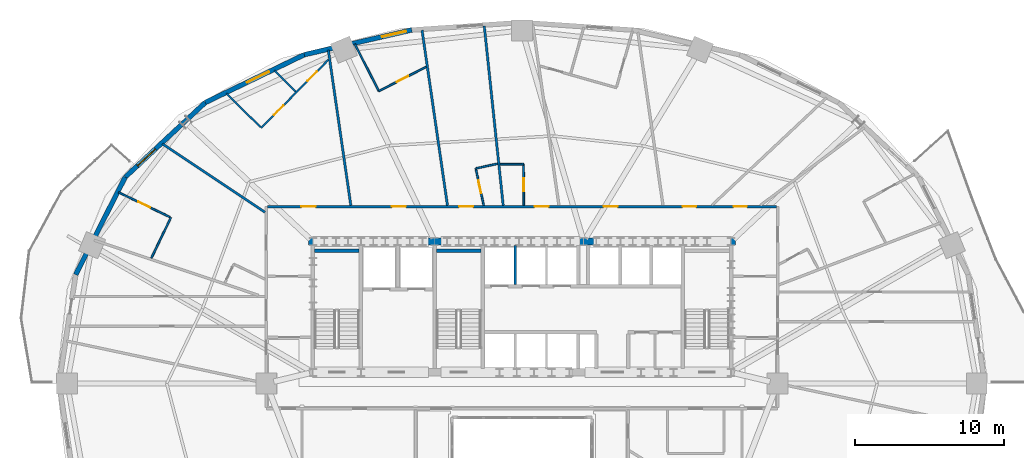
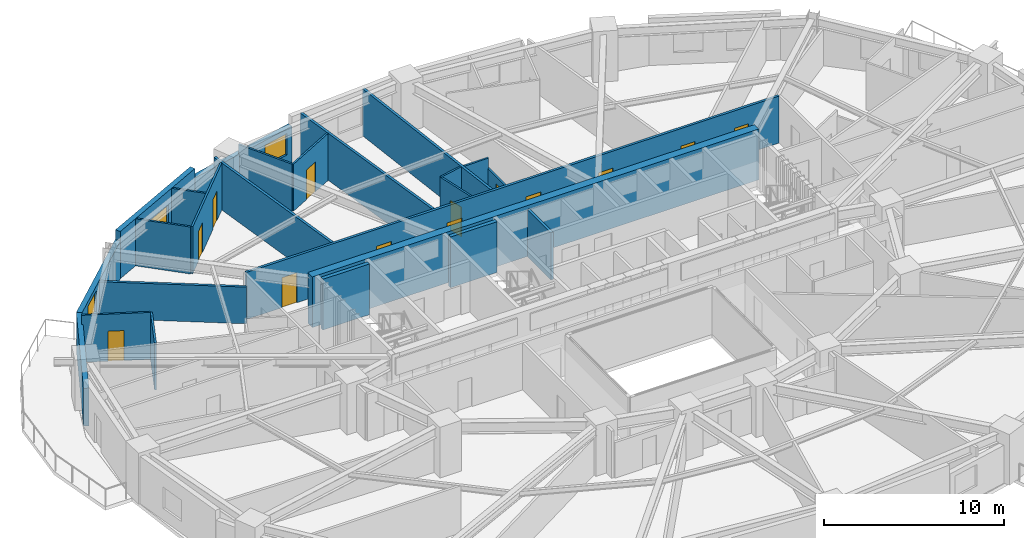
# One storey, part 12 of 17: 24 walls, 13 doors, 3 windows, 16 openings.
"""IFC4 building model written with IfcOpenShell, lengths in metres."""

from ifc_helpers import new_model, si_unit, direction, frame, frame_2d, origin, place, context, subcontext, project, spatial, rectangle, extrude, material, layer, layer_set, type_object, element, fill, save


model = new_model("IFC4")

# Units and contexts
model_context = context("Model", 3, precision=1e-05, world=origin(), true_north=direction((0.0, 1.0)))
body_context = subcontext(model_context, "Body", "Model", "MODEL_VIEW")
ifc_project = project(units=[si_unit("LENGTHUNIT", "METRE"), si_unit("AREAUNIT", "SQUARE_METRE"), si_unit("VOLUMEUNIT", "CUBIC_METRE"), si_unit("PLANEANGLEUNIT", "RADIAN"), si_unit("MASSUNIT", "GRAM", prefix="KILO")], contexts=[model_context])

# Site, building, storey
site_placement = place(None, origin())
site = spatial("IfcSite", under=ifc_project, at=site_placement, CompositionType="ELEMENT")
building_placement = place(site_placement, origin())
building = spatial("IfcBuilding", under=site, at=building_placement, Name="Haldorwick Loom Tower", CompositionType="ELEMENT")
storey_placement = place(building_placement, frame((0.0, 0.0, 27.449951171875)))
storey = spatial("IfcBuildingStorey", under=building, at=storey_placement, Name="L06", CompositionType="ELEMENT", Elevation=27.449951171875)

# Wall, opening, window
ifc_material_1 = material(Name="Pressed Clay Face Brick and Insulated Masonry Backup Assembly", Category="masonry")
ifc_layer_1 = layer(ifc_material_1, 0.320068359375, Name="Pressed Clay Face Brick and Insulated Masonry Backup Assembly", Category="masonry")
ifc_layer_set_1 = layer_set([ifc_layer_1], Name="Pressed Clay Face Brick and Insulated Masonry Backup Assembly")
wall_type_1 = type_object("IfcWallType", Name="ARC-WL-EXT320", PredefinedType="STANDARD", material=ifc_layer_set_1)
wall_1_placement = place(storey_placement, frame((28.588623046875, 49.780517578125, 0.0), z_axis=(0.0, 0.0, 1.0), x_axis=(-0.974522412345, -0.224290142088, 0.0)))
wall_1 = element("IfcWall", 1, at=wall_1_placement, inside=storey, type_object=wall_type_1, Name="L06 Brick Pier and Spandrel Wall 8", PredefinedType="STANDARD", context=body_context, shape_type="SweptSolid", body=[
    extrude(rectangle(XDim=7.422607421875, YDim=0.320068359375, at=frame_2d((3.71142578125, 0.0))), origin(), (0.0, 0.0, 1.0), 2.569091796875),
])
opening_1_placement = place(wall_1_placement, frame((0.39990234375, 0.0, 0.800048828125)))
opening_1 = element("IfcOpeningElement", 2, at=opening_1_placement, cuts=wall_1, Name="Opening W-01B", PredefinedType="OPENING", context=body_context, shape_type="SweptSolid", body=[
    extrude(rectangle(XDim=1.64990234375, YDim=1.449951171875, at=frame_2d((0.824951171875, 0.72509765625))), frame((0.0, 0.169921875, 0.0), z_axis=(0.0, -1.0, 0.0), x_axis=(1.0, 0.0, 0.0)), (0.0, 0.0, 1.0), 0.340087890625),
])
ifc_material_2 = material(Name="Triple-Glazed Low-E Argon Insulated Glazing Unit", Category="glass")
window_type = type_object("IfcWindowType", Name="ARC-WIN-W165", PartitioningType="SINGLE_PANEL", PredefinedType="WINDOW", material=ifc_material_2)
window_1_placement = place(opening_1_placement, origin())
window_1 = element("IfcWindow", 3, at=window_1_placement, inside=storey, type_object=window_type, Name="L06 Deep-Set Zone 7A Window 8", OverallHeight=1.449951171875, OverallWidth=1.64990234375, PartitioningType="SINGLE_PANEL", PredefinedType="WINDOW", context=body_context, shape_type="SweptSolid", body=[
    extrude(rectangle(XDim=1.64990234375, YDim=1.449951171875, at=frame_2d((0.824951171875, 0.72509765625))), frame((0.0, 0.030029296875, 0.0), z_axis=(0.0, -1.0, 0.0), x_axis=(1.0, 0.0, 0.0)), (0.0, 0.0, 1.0), 0.06005859375),
])
fill(opening_1, window_1)

wall_2_placement = place(storey_placement, frame((21.355224609375, 48.11572265625, 0.0), z_axis=(0.0, 0.0, 1.0), x_axis=(-0.900295710431, -0.435278800057, 0.0)))
wall_2 = element("IfcWall", 4, at=wall_2_placement, inside=storey, type_object=wall_type_1, Name="L06 Brick Pier and Spandrel Wall 9", PredefinedType="STANDARD", context=body_context, shape_type="SweptSolid", body=[
    extrude(rectangle(XDim=7.39697265625, YDim=0.320068359375, at=frame_2d((3.698486328125, 0.0))), origin(), (0.0, 0.0, 1.0), 3.2099609375),
])
opening_2_placement = place(wall_2_placement, frame((2.632080078125, 0.0, 0.800048828125)))
opening_2 = element("IfcOpeningElement", 5, at=opening_2_placement, cuts=wall_2, Name="Opening W-01B", PredefinedType="OPENING", context=body_context, shape_type="SweptSolid", body=[
    extrude(rectangle(XDim=1.64990234375, YDim=1.449951171875, at=frame_2d((0.824951171875, 0.72509765625))), frame((0.0, 0.169921875, 0.0), z_axis=(0.0, -1.0, 0.0), x_axis=(1.0, 0.0, 0.0)), (0.0, 0.0, 1.0), 0.340087890625),
])
window_2_placement = place(opening_2_placement, origin())
window_2 = element("IfcWindow", 6, at=window_2_placement, inside=storey, type_object=window_type, Name="L06 Deep-Set Zone 7A Window 9", OverallHeight=1.449951171875, OverallWidth=1.64990234375, PartitioningType="SINGLE_PANEL", PredefinedType="WINDOW", context=body_context, shape_type="SweptSolid", body=[
    extrude(rectangle(XDim=1.64990234375, YDim=1.449951171875, at=frame_2d((0.824951171875, 0.72509765625))), frame((0.0, 0.030029296875, 0.0), z_axis=(0.0, -1.0, 0.0), x_axis=(1.0, 0.0, 0.0)), (0.0, 0.0, 1.0), 0.06005859375),
])
fill(opening_2, window_2)

wall_3_placement = place(storey_placement, frame((14.69580078125, 44.89599609375, 0.0), z_axis=(0.0, 0.0, 1.0), x_axis=(-0.73176101237, -0.681561311091, 0.0)))
wall_3 = element("IfcWall", 7, at=wall_3_placement, inside=storey, type_object=wall_type_1, Name="L06 Brick Pier and Spandrel Wall 10", PredefinedType="STANDARD", context=body_context, shape_type="SweptSolid", body=[
    extrude(rectangle(XDim=7.3583984375, YDim=0.320068359375, at=frame_2d((3.67919921875, 0.0))), origin(), (0.0, 0.0, 1.0), 2.569091796875),
])
opening_3_placement = place(wall_3_placement, frame((4.590087890625, 0.0, 0.800048828125)))
opening_3 = element("IfcOpeningElement", 8, at=opening_3_placement, cuts=wall_3, Name="Opening W-01B", PredefinedType="OPENING", context=body_context, shape_type="SweptSolid", body=[
    extrude(rectangle(XDim=1.64990234375, YDim=1.449951171875, at=frame_2d((0.824951171875, 0.72509765625))), frame((0.0, 0.169921875, 0.0), z_axis=(0.0, -1.0, 0.0), x_axis=(1.0, 0.0, 0.0)), (0.0, 0.0, 1.0), 0.340087890625),
])
window_3_placement = place(opening_3_placement, origin())
window_3 = element("IfcWindow", 9, at=window_3_placement, inside=storey, type_object=window_type, Name="L06 Deep-Set Zone 7A Window 10", OverallHeight=1.449951171875, OverallWidth=1.64990234375, PartitioningType="SINGLE_PANEL", PredefinedType="WINDOW", context=body_context, shape_type="SweptSolid", body=[
    extrude(rectangle(XDim=1.64990234375, YDim=1.449951171875, at=frame_2d((0.824951171875, 0.72509765625))), frame((0.0, 0.030029296875, 0.0), z_axis=(0.0, -1.0, 0.0), x_axis=(1.0, 0.0, 0.0)), (0.0, 0.0, 1.0), 0.06005859375),
])
fill(opening_3, window_3)

# Wall
wall_4_placement = place(storey_placement, frame((9.311279296875, 39.880859375, 0.0), z_axis=(0.0, 0.0, 1.0), x_axis=(-0.452950855928, -0.891535485617, 0.0)))
element("IfcWall", 10, at=wall_4_placement, inside=storey, type_object=wall_type_1, Name="L06 Brick Pier and Spandrel Wall 11", PredefinedType="STANDARD", context=body_context, shape_type="SweptSolid", body=[
    extrude(rectangle(XDim=7.3583984375, YDim=0.320068359375, at=frame_2d((3.67919921875, 0.0))), origin(), (0.0, 0.0, 1.0), 2.569091796875),
])

# Wall, openings, doors
ifc_material_3 = material(Name="Fire-Rated Type X Gypsum Stud Assembly EI 60")
ifc_layer_2 = layer(ifc_material_3, 0.159912109375, Name="Fire-Rated Type X Gypsum Stud Assembly EI 60")
ifc_layer_set_2 = layer_set([ifc_layer_2], Name="Fire-Rated Type X Gypsum Stud Assembly EI 60")
wall_type_2 = type_object("IfcWallType", Name="ARC-WL-FIRE160", PredefinedType="PARTITIONING", material=ifc_layer_set_2)
wall_5_placement = place(storey_placement, frame((18.883056640625, 37.89990234375, 0.0), z_axis=(0.0, 0.0, 1.0), x_axis=(1.0, 0.0, 0.0)))
wall_5 = element("IfcWall", 11, at=wall_5_placement, inside=storey, type_object=wall_type_2, Name="L06 Residential Fire Partition L06-CR-N0", PredefinedType="PARTITIONING", context=body_context, shape_type="SweptSolid", body=[
    extrude(rectangle(XDim=34.23388671875, YDim=0.159912109375, at=frame_2d((17.116943359375, 0.0))), origin(), (0.0, 0.0, 1.0), 3.195068359375),
])
opening_4_placement = place(wall_5_placement, frame((22.605224609375, 0.0, 0.0)))
opening_4 = element("IfcOpeningElement", 12, at=opening_4_placement, cuts=wall_5, Name="Opening D-FL95", PredefinedType="OPENING", context=body_context, shape_type="SweptSolid", body=[
    extrude(rectangle(XDim=0.949951171875, YDim=2.0400390625, at=frame_2d((0.47509765625, 1.02001953125))), frame((0.0, 0.08984375, 0.0), z_axis=(0.0, -1.0, 0.0), x_axis=(1.0, 0.0, 0.0)), (0.0, 0.0, 1.0), 0.179931640625),
])
opening_5_placement = place(wall_5_placement, frame((8.359619140625, 0.0, 0.0)))
opening_5 = element("IfcOpeningElement", 13, at=opening_5_placement, cuts=wall_5, Name="Opening D-FL95", PredefinedType="OPENING", context=body_context, shape_type="SweptSolid", body=[
    extrude(rectangle(XDim=0.949951171875, YDim=2.0400390625, at=frame_2d((0.47509765625, 1.02001953125))), frame((0.0, 0.08984375, 0.0), z_axis=(0.0, -1.0, 0.0), x_axis=(1.0, 0.0, 0.0)), (0.0, 0.0, 1.0), 0.179931640625),
])
opening_6_placement = place(wall_5_placement, frame((2.285888671875, 0.0, 0.0)))
opening_6 = element("IfcOpeningElement", 14, at=opening_6_placement, cuts=wall_5, Name="Opening D-FL95", PredefinedType="OPENING", context=body_context, shape_type="SweptSolid", body=[
    extrude(rectangle(XDim=0.949951171875, YDim=2.0400390625, at=frame_2d((0.47509765625, 1.02001953125))), frame((0.0, 0.08984375, 0.0), z_axis=(0.0, -1.0, 0.0), x_axis=(1.0, 0.0, 0.0)), (0.0, 0.0, 1.0), 0.179931640625),
])
opening_7_placement = place(wall_5_placement, frame((27.93115234375, 0.0, 0.0)))
opening_7 = element("IfcOpeningElement", 15, at=opening_7_placement, cuts=wall_5, Name="Opening D-FD60A", PredefinedType="OPENING", context=body_context, shape_type="SweptSolid", body=[
    extrude(rectangle(XDim=0.89990234375, YDim=2.0, at=frame_2d((0.449951171875, 1.0))), frame((0.0, 0.08984375, 0.0), z_axis=(0.0, -1.0, 0.0), x_axis=(1.0, 0.0, 0.0)), (0.0, 0.0, 1.0), 0.179931640625),
])
opening_8_placement = place(wall_5_placement, frame((31.3544921875, 0.0, 0.0)))
opening_8 = element("IfcOpeningElement", 16, at=opening_8_placement, cuts=wall_5, Name="Opening D-FD60A", PredefinedType="OPENING", context=body_context, shape_type="SweptSolid", body=[
    extrude(rectangle(XDim=0.89990234375, YDim=2.0, at=frame_2d((0.449951171875, 1.0))), frame((0.0, 0.08984375, 0.0), z_axis=(0.0, -1.0, 0.0), x_axis=(1.0, 0.0, 0.0)), (0.0, 0.0, 1.0), 0.179931640625),
])
opening_9_placement = place(wall_5_placement, frame((17.96728515625, 0.0, 0.0)))
opening_9 = element("IfcOpeningElement", 17, at=opening_9_placement, cuts=wall_5, Name="Opening D-FL95", PredefinedType="OPENING", context=body_context, shape_type="SweptSolid", body=[
    extrude(rectangle(XDim=0.949951171875, YDim=2.0400390625, at=frame_2d((0.47509765625, 1.02001953125))), frame((0.0, 0.08984375, 0.0), z_axis=(0.0, -1.0, 0.0), x_axis=(1.0, 0.0, 0.0)), (0.0, 0.0, 1.0), 0.179931640625),
])
opening_10_placement = place(wall_5_placement, frame((12.88720703125, 0.0, 0.0)))
opening_10 = element("IfcOpeningElement", 18, at=opening_10_placement, cuts=wall_5, Name="Opening D-FL95", PredefinedType="OPENING", context=body_context, shape_type="SweptSolid", body=[
    extrude(rectangle(XDim=0.949951171875, YDim=2.0400390625, at=frame_2d((0.47509765625, 1.02001953125))), frame((0.0, 0.08984375, 0.0), z_axis=(0.0, -1.0, 0.0), x_axis=(1.0, 0.0, 0.0)), (0.0, 0.0, 1.0), 0.179931640625),
])
ifc_material_4 = material(Name="Hollow Steel Fire Door Assembly", Category="steel")
door_type_1 = type_object("IfcDoorType", Name="ARC-DR-FD60-90", OperationType="NOTDEFINED", PredefinedType="DOOR", material=ifc_material_4)
door_1_placement = place(opening_7_placement, frame((0.89990234375, 0.0, 0.0), z_axis=(0.0, 0.0, 1.0), x_axis=(-1.0, 0.0, 0.0)))
door_1 = element("IfcDoor", 19, at=door_1_placement, inside=storey, type_object=door_type_1, Name="L06 Community Library Hall 12 to L06 North Residential Corridor Door", OperationType="SINGLE_SWING_LEFT", OverallHeight=2.0, OverallWidth=0.89990234375, PredefinedType="DOOR", context=body_context, shape_type="SweptSolid", body=[
    extrude(rectangle(XDim=0.89990234375, YDim=2.0, at=frame_2d((0.449951171875, 1.0))), frame((0.0, 0.02490234375, 0.0), z_axis=(0.0, -1.0, 0.0), x_axis=(1.0, 0.0, 0.0)), (0.0, 0.0, 1.0), 0.050048828125),
])
fill(opening_7, door_1)
door_2_placement = place(opening_8_placement, frame((0.89990234375, 0.0, 0.0), z_axis=(0.0, 0.0, 1.0), x_axis=(-1.0, 0.0, 0.0)))
door_2 = element("IfcDoor", 20, at=door_2_placement, inside=storey, type_object=door_type_1, Name="L06 Remote Work Office 20 to L06 North Residential Corridor Door", OperationType="SINGLE_SWING_LEFT", OverallHeight=2.0, OverallWidth=0.89990234375, PredefinedType="DOOR", context=body_context, shape_type="SweptSolid", body=[
    extrude(rectangle(XDim=0.89990234375, YDim=2.0, at=frame_2d((0.449951171875, 1.0))), frame((0.0, 0.02490234375, 0.0), z_axis=(0.0, -1.0, 0.0), x_axis=(1.0, 0.0, 0.0)), (0.0, 0.0, 1.0), 0.050048828125),
])
fill(opening_8, door_2)
ifc_material_5 = material(Name="Solid Core Birch Architectural Door")
door_type_2 = type_object("IfcDoorType", Name="ARC-DR-FLAT95", OperationType="NOTDEFINED", PredefinedType="DOOR", material=ifc_material_5)
door_3_placement = place(opening_4_placement, frame((0.949951171875, 0.0, 0.0), z_axis=(0.0, 0.0, 1.0), x_axis=(-1.0, 0.0, 0.0)))
door_3 = element("IfcDoor", 21, at=door_3_placement, inside=storey, type_object=door_type_2, Name="L06 Unit 06F Kitchen and Living Room to L06 North Residential Corridor D", OperationType="SINGLE_SWING_LEFT", OverallHeight=2.0400390625, OverallWidth=0.949951171875, PredefinedType="DOOR", context=body_context, shape_type="SweptSolid", body=[
    extrude(rectangle(XDim=0.949951171875, YDim=2.0400390625, at=frame_2d((0.47509765625, 1.02001953125))), frame((0.0, 0.02490234375, 0.0), z_axis=(0.0, -1.0, 0.0), x_axis=(1.0, 0.0, 0.0)), (0.0, 0.0, 1.0), 0.050048828125),
])
fill(opening_4, door_3)
door_4_placement = place(opening_5_placement, frame((0.949951171875, 0.0, 0.0), z_axis=(0.0, 0.0, 1.0), x_axis=(-1.0, 0.0, 0.0)))
door_4 = element("IfcDoor", 22, at=door_4_placement, inside=storey, type_object=door_type_2, Name="L06 Unit 06E Kitchen and Studio Living Room to L06 North Residential Cor", OperationType="SINGLE_SWING_RIGHT", OverallHeight=2.0400390625, OverallWidth=0.949951171875, PredefinedType="DOOR", context=body_context, shape_type="SweptSolid", body=[
    extrude(rectangle(XDim=0.949951171875, YDim=2.0400390625, at=frame_2d((0.47509765625, 1.02001953125))), frame((0.0, 0.02490234375, 0.0), z_axis=(0.0, -1.0, 0.0), x_axis=(1.0, 0.0, 0.0)), (0.0, 0.0, 1.0), 0.050048828125),
])
fill(opening_5, door_4)
door_5_placement = place(opening_6_placement, frame((0.949951171875, 0.0, 0.0), z_axis=(0.0, 0.0, 1.0), x_axis=(-1.0, 0.0, 0.0)))
door_5 = element("IfcDoor", 23, at=door_5_placement, inside=storey, type_object=door_type_2, Name="L06 Unit 06J Kitchen and Living Room to L06 North Residential Corridor D", OperationType="SINGLE_SWING_LEFT", OverallHeight=2.0400390625, OverallWidth=0.949951171875, PredefinedType="DOOR", context=body_context, shape_type="SweptSolid", body=[
    extrude(rectangle(XDim=0.949951171875, YDim=2.0400390625, at=frame_2d((0.47509765625, 1.02001953125))), frame((0.0, 0.02490234375, 0.0), z_axis=(0.0, -1.0, 0.0), x_axis=(1.0, 0.0, 0.0)), (0.0, 0.0, 1.0), 0.050048828125),
])
fill(opening_6, door_5)
door_6_placement = place(opening_9_placement, frame((0.949951171875, 0.0, 0.0), z_axis=(0.0, 0.0, 1.0), x_axis=(-1.0, 0.0, 0.0)))
door_6 = element("IfcDoor", 24, at=door_6_placement, inside=storey, type_object=door_type_2, Name="L06 Unit 06G Kitchen and Studio Living Room to L06 North Residential Cor", OperationType="SINGLE_SWING_LEFT", OverallHeight=2.0400390625, OverallWidth=0.949951171875, PredefinedType="DOOR", context=body_context, shape_type="SweptSolid", body=[
    extrude(rectangle(XDim=0.949951171875, YDim=2.0400390625, at=frame_2d((0.47509765625, 1.02001953125))), frame((0.0, 0.02490234375, 0.0), z_axis=(0.0, -1.0, 0.0), x_axis=(1.0, 0.0, 0.0)), (0.0, 0.0, 1.0), 0.050048828125),
])
fill(opening_9, door_6)
door_7_placement = place(opening_10_placement, frame((0.949951171875, 0.0, 0.0), z_axis=(0.0, 0.0, 1.0), x_axis=(-1.0, 0.0, 0.0)))
door_7 = element("IfcDoor", 25, at=door_7_placement, inside=storey, type_object=door_type_2, Name="L06 Unit 06H Kitchen and Studio Living Room to L06 North Residential Cor", OperationType="SINGLE_SWING_RIGHT", OverallHeight=2.0400390625, OverallWidth=0.949951171875, PredefinedType="DOOR", context=body_context, shape_type="SweptSolid", body=[
    extrude(rectangle(XDim=0.949951171875, YDim=2.0400390625, at=frame_2d((0.47509765625, 1.02001953125))), frame((0.0, 0.02490234375, 0.0), z_axis=(0.0, -1.0, 0.0), x_axis=(1.0, 0.0, 0.0)), (0.0, 0.0, 1.0), 0.050048828125),
])
fill(opening_10, door_7)

# Walls
wall_6_placement = place(storey_placement, frame((24.488037109375, 37.98291015625, 0.0), z_axis=(0.0, 0.0, 1.0), x_axis=(-0.143527306887, 0.989646357129, 0.0)))
element("IfcWall", 26, at=wall_6_placement, inside=storey, type_object=wall_type_2, Name="L06 Residential Fire Partition L06-UPN-15", PredefinedType="PARTITIONING", context=body_context, shape_type="SweptSolid", body=[
    extrude(rectangle(XDim=10.5478515625, YDim=0.159912109375, at=frame_2d((5.27392578125, 0.0))), origin(), (0.0, 0.0, 1.0), 3.195068359375),
])
wall_7_placement = place(storey_placement, frame((30.988037109375, 37.98291015625, 0.0), z_axis=(0.0, 0.0, 1.0), x_axis=(-0.14353446512, 0.989645318952, 0.0)))
element("IfcWall", 27, at=wall_7_placement, inside=storey, type_object=wall_type_2, Name="L06 Residential Fire Partition L06-UPN-16", PredefinedType="PARTITIONING", context=body_context, shape_type="SweptSolid", body=[
    extrude(rectangle(XDim=11.903076171875, YDim=0.159912109375, at=frame_2d((5.95166015625, 0.0))), origin(), (0.0, 0.0, 1.0), 3.195068359375),
])
wall_8_placement = place(storey_placement, frame((34.736572265625, 37.98291015625, 0.0), z_axis=(0.0, 0.0, 1.0), x_axis=(-0.104862826622, 0.994486695533, 0.0)))
element("IfcWall", 28, at=wall_8_placement, inside=storey, type_object=wall_type_2, Name="L06 Suite Split Wall", PredefinedType="PARTITIONING", context=body_context, shape_type="SweptSolid", body=[
    extrude(rectangle(XDim=12.134521484375, YDim=0.159912109375, at=frame_2d((6.0673828125, 0.0))), origin(), (0.0, 0.0, 1.0), 3.195068359375),
])
wall_9_placement = place(storey_placement, frame((18.717041015625, 37.51806640625, 0.0), z_axis=(0.0, 0.0, 1.0), x_axis=(-0.832154371396, 0.554544048897, 0.0)))
element("IfcWall", 29, at=wall_9_placement, inside=storey, type_object=wall_type_2, Name="L06 Suite Split Wall", PredefinedType="PARTITIONING", context=body_context, shape_type="SweptSolid", body=[
    extrude(rectangle(XDim=8.29931640625, YDim=0.159912109375, at=frame_2d((4.149658203125, 0.0))), origin(), (0.0, 0.0, 1.0), 2.489990234375),
])

# Wall, opening, door
ifc_material_6 = material(Name="Acoustic Gypsum Stud Assembly STC 55")
ifc_layer_3 = layer(ifc_material_6, 0.1201171875, Name="Acoustic Gypsum Stud Assembly STC 55")
ifc_layer_set_3 = layer_set([ifc_layer_3], Name="Acoustic Gypsum Stud Assembly STC 55")
wall_type_3 = type_object("IfcWallType", Name="ARC-WL-PART120", PredefinedType="PARTITIONING", material=ifc_layer_set_3)
wall_10_placement = place(storey_placement, frame((29.553466796875, 47.295654296875, 0.0), z_axis=(0.0, 0.0, 1.0), x_axis=(-0.88971564895, -0.456515130104, 0.0)))
wall_10 = element("IfcWall", 30, at=wall_10_placement, inside=storey, type_object=wall_type_3, Name="L06 Unit 06E Interior Partition", PredefinedType="PARTITIONING", context=body_context, shape_type="SweptSolid", body=[
    extrude(rectangle(XDim=3.57080078125, YDim=0.1201171875, at=frame_2d((1.785400390625, 0.0))), origin(), (0.0, 0.0, 1.0), 3.195068359375),
])
opening_11_placement = place(wall_10_placement, frame((1.345458984375, 0.0, 0.0)))
opening_11 = element("IfcOpeningElement", 31, at=opening_11_placement, cuts=wall_10, Name="Opening D-BT88", PredefinedType="OPENING", context=body_context, shape_type="SweptSolid", body=[
    extrude(rectangle(XDim=0.8798828125, YDim=2.02001953125, at=frame_2d((0.43994140625, 1.010009765625))), frame((0.0, 0.070068359375, 0.0), z_axis=(0.0, -1.0, 0.0), x_axis=(1.0, 0.0, 0.0)), (0.0, 0.0, 1.0), 0.14013671875),
])
door_type_3 = type_object("IfcDoorType", Name="ARC-DR-BATH88", OperationType="NOTDEFINED", PredefinedType="DOOR", material=ifc_material_5)
door_8_placement = place(opening_11_placement, origin())
door_8 = element("IfcDoor", 32, at=door_8_placement, inside=storey, type_object=door_type_3, Name="L06 Unit 06E Kitchen and Studio Living Room to Unit 06E Bathroom Door", OperationType="SINGLE_SWING_RIGHT", OverallHeight=2.02001953125, OverallWidth=0.8798828125, PredefinedType="DOOR", context=body_context, shape_type="SweptSolid", body=[
    extrude(rectangle(XDim=0.8798828125, YDim=2.02001953125, at=frame_2d((0.43994140625, 1.010009765625))), frame((0.0, 0.02490234375, 0.0), z_axis=(0.0, -1.0, 0.0), x_axis=(1.0, 0.0, 0.0)), (0.0, 0.0, 1.0), 0.050048828125),
])
fill(opening_11, door_8)

# Walls
wall_11_placement = place(storey_placement, frame((26.37646484375, 45.66552734375, 0.0), z_axis=(0.0, 0.0, 1.0), x_axis=(-0.456549293145, 0.889698118987, 0.0)))
element("IfcWall", 33, at=wall_11_placement, inside=storey, type_object=wall_type_3, Name="L06 Unit 06E Interior Partition", PredefinedType="PARTITIONING", context=body_context, shape_type="SweptSolid", body=[
    extrude(rectangle(XDim=3.5576171875, YDim=0.1201171875, at=frame_2d((1.77880859375, 0.0))), origin(), (0.0, 0.0, 1.0), 3.195068359375),
])
wall_12_placement = place(storey_placement, frame((36.107421875, 40.754150390625, 0.0), z_axis=(0.0, 0.0, 1.0), x_axis=(-0.999975783696, -0.006959311826, 0.0)))
element("IfcWall", 34, at=wall_12_placement, inside=storey, type_object=wall_type_3, Name="L06 Unit 06G Interior Partition", PredefinedType="PARTITIONING", context=body_context, shape_type="SweptSolid", body=[
    extrude(rectangle(XDim=1.57861328125, YDim=0.1201171875, at=frame_2d((0.789306640625, 0.0))), origin(), (0.0, 0.0, 1.0), 3.195068359375),
])

# Wall, opening, door
wall_13_placement = place(storey_placement, frame((36.126708984375, 37.98291015625, 0.0), z_axis=(0.0, 0.0, 1.0), x_axis=(-0.006959570678, 0.999975781895, 0.0)))
wall_13 = element("IfcWall", 35, at=wall_13_placement, inside=storey, type_object=wall_type_3, Name="L06 Unit 06G Interior Partition", PredefinedType="PARTITIONING", context=body_context, shape_type="SweptSolid", body=[
    extrude(rectangle(XDim=2.771240234375, YDim=0.1201171875, at=frame_2d((1.3857421875, 0.0))), origin(), (0.0, 0.0, 1.0), 2.489990234375),
])
opening_12_placement = place(wall_13_placement, frame((0.945556640625, 0.0, 0.0)))
opening_12 = element("IfcOpeningElement", 36, at=opening_12_placement, cuts=wall_13, Name="Opening D-BT88", PredefinedType="OPENING", context=body_context, shape_type="SweptSolid", body=[
    extrude(rectangle(XDim=0.8798828125, YDim=2.02001953125, at=frame_2d((0.43994140625, 1.010009765625))), frame((0.0, 0.070068359375, 0.0), z_axis=(0.0, -1.0, 0.0), x_axis=(1.0, 0.0, 0.0)), (0.0, 0.0, 1.0), 0.14013671875),
])
door_9_placement = place(opening_12_placement, origin())
door_9 = element("IfcDoor", 37, at=door_9_placement, inside=storey, type_object=door_type_3, Name="L06 Unit 06G Bathroom to Unit 06G Kitchen and Studio Living Room Door", OperationType="SINGLE_SWING_LEFT", OverallHeight=2.02001953125, OverallWidth=0.8798828125, PredefinedType="DOOR", context=body_context, shape_type="SweptSolid", body=[
    extrude(rectangle(XDim=0.8798828125, YDim=2.02001953125, at=frame_2d((0.43994140625, 1.010009765625))), frame((0.0, 0.02490234375, 0.0), z_axis=(0.0, -1.0, 0.0), x_axis=(1.0, 0.0, 0.0)), (0.0, 0.0, 1.0), 0.050048828125),
])
fill(opening_12, door_9)

# Wall
wall_14_placement = place(storey_placement, frame((34.3583984375, 40.778564453125, 0.0), z_axis=(0.0, 0.0, 1.0), x_axis=(-0.977558557938, -0.210663869236, 0.0)))
element("IfcWall", 38, at=wall_14_placement, inside=storey, type_object=wall_type_3, Name="L06 Unit 06H Interior Partition", PredefinedType="PARTITIONING", context=body_context, shape_type="SweptSolid", body=[
    extrude(rectangle(XDim=1.49853515625, YDim=0.1201171875, at=frame_2d((0.749267578125, 0.0))), origin(), (0.0, 0.0, 1.0), 3.195068359375),
])

# Wall, opening, door
wall_15_placement = place(storey_placement, frame((33.427978515625, 37.98291015625, 0.0), z_axis=(0.0, 0.0, 1.0), x_axis=(-0.210659362969, 0.977559529028, 0.0)))
wall_15 = element("IfcWall", 39, at=wall_15_placement, inside=storey, type_object=wall_type_3, Name="L06 Unit 06H Interior Partition", PredefinedType="PARTITIONING", context=body_context, shape_type="SweptSolid", body=[
    extrude(rectangle(XDim=2.536865234375, YDim=0.1201171875, at=frame_2d((1.2685546875, 0.0))), origin(), (0.0, 0.0, 1.0), 3.195068359375),
])
opening_13_placement = place(wall_15_placement, frame((0.828369140625, 0.0, 0.0)))
opening_13 = element("IfcOpeningElement", 40, at=opening_13_placement, cuts=wall_15, Name="Opening D-BT88", PredefinedType="OPENING", context=body_context, shape_type="SweptSolid", body=[
    extrude(rectangle(XDim=0.8798828125, YDim=2.02001953125, at=frame_2d((0.43994140625, 1.010009765625))), frame((0.0, 0.070068359375, 0.0), z_axis=(0.0, -1.0, 0.0), x_axis=(1.0, 0.0, 0.0)), (0.0, 0.0, 1.0), 0.14013671875),
])
door_10_placement = place(opening_13_placement, origin())
door_10 = element("IfcDoor", 41, at=door_10_placement, inside=storey, type_object=door_type_3, Name="L06 Unit 06H Kitchen and Studio Living Room to Unit 06H Bathroom Door", OperationType="SINGLE_SWING_RIGHT", OverallHeight=2.02001953125, OverallWidth=0.8798828125, PredefinedType="DOOR", context=body_context, shape_type="SweptSolid", body=[
    extrude(rectangle(XDim=0.8798828125, YDim=2.02001953125, at=frame_2d((0.43994140625, 1.010009765625))), frame((0.0, 0.02490234375, 0.0), z_axis=(0.0, -1.0, 0.0), x_axis=(1.0, 0.0, 0.0)), (0.0, 0.0, 1.0), 0.050048828125),
])
fill(opening_13, door_10)

# Wall
wall_16_placement = place(storey_placement, frame((12.3837890625, 37.161376953125, 0.0), z_axis=(0.0, 0.0, 1.0), x_axis=(-0.434237284081, -0.900798524152, 0.0)))
element("IfcWall", 42, at=wall_16_placement, inside=storey, type_object=wall_type_3, Name="L06 Unit 06I Interior Partition", PredefinedType="PARTITIONING", context=body_context, shape_type="SweptSolid", body=[
    extrude(rectangle(XDim=3.02880859375, YDim=0.1201171875, at=frame_2d((1.514404296875, 0.0))), origin(), (0.0, 0.0, 1.0), 3.195068359375),
])

# Wall, opening, door
wall_17_placement = place(storey_placement, frame((12.326904296875, 37.188720703125, 0.0), z_axis=(0.0, 0.0, 1.0), x_axis=(-0.900824136109, 0.434184149647, 0.0)))
wall_17 = element("IfcWall", 43, at=wall_17_placement, inside=storey, type_object=wall_type_3, Name="L06 Unit 06I Interior Partition", PredefinedType="PARTITIONING", context=body_context, shape_type="SweptSolid", body=[
    extrude(rectangle(XDim=3.84375, YDim=0.1201171875, at=frame_2d((1.921875, 0.0))), origin(), (0.0, 0.0, 1.0), 3.195068359375),
])
opening_14_placement = place(wall_17_placement, frame((1.471923828125, 0.0, 0.0)))
opening_14 = element("IfcOpeningElement", 44, at=opening_14_placement, cuts=wall_17, Name="Opening D-IN90", PredefinedType="OPENING", context=body_context, shape_type="SweptSolid", body=[
    extrude(rectangle(XDim=0.89990234375, YDim=2.0400390625, at=frame_2d((0.449951171875, 1.02001953125))), frame((0.0, 0.070068359375, 0.0), z_axis=(0.0, -1.0, 0.0), x_axis=(1.0, 0.0, 0.0)), (0.0, 0.0, 1.0), 0.14013671875),
])
door_type_4 = type_object("IfcDoorType", Name="ARC-DR-INT90", OperationType="NOTDEFINED", PredefinedType="DOOR", material=ifc_material_5)
door_11_placement = place(opening_14_placement, origin())
door_11 = element("IfcDoor", 45, at=door_11_placement, inside=storey, type_object=door_type_4, Name="L06 Unit 06I Bedroom 1 to Unit 06I Kitchen and Living Room Door", OperationType="SINGLE_SWING_RIGHT", OverallHeight=2.0400390625, OverallWidth=0.89990234375, PredefinedType="DOOR", context=body_context, shape_type="SweptSolid", body=[
    extrude(rectangle(XDim=0.89990234375, YDim=2.0400390625, at=frame_2d((0.449951171875, 1.02001953125))), frame((0.0, 0.02490234375, 0.0), z_axis=(0.0, -1.0, 0.0), x_axis=(1.0, 0.0, 0.0)), (0.0, 0.0, 1.0), 0.050048828125),
])
fill(opening_14, door_11)

# Wall, openings, doors
wall_18_placement = place(storey_placement, frame((22.983642578125, 47.77685546875, 0.0), z_axis=(0.0, 0.0, 1.0), x_axis=(-0.702006461789, -0.712170574796, 0.0)))
wall_18 = element("IfcWall", 46, at=wall_18_placement, inside=storey, type_object=wall_type_3, Name="L06 Unit 06J Interior Partition", PredefinedType="PARTITIONING", context=body_context, shape_type="SweptSolid", body=[
    extrude(rectangle(XDim=6.437255859375, YDim=0.1201171875, at=frame_2d((3.21875, 0.0))), origin(), (0.0, 0.0, 1.0), 3.195068359375),
])
opening_15_placement = place(wall_18_placement, frame((4.322509765625, 0.0, 0.0)))
opening_15 = element("IfcOpeningElement", 47, at=opening_15_placement, cuts=wall_18, Name="Opening D-IN90", PredefinedType="OPENING", context=body_context, shape_type="SweptSolid", body=[
    extrude(rectangle(XDim=0.89990234375, YDim=2.0400390625, at=frame_2d((0.449951171875, 1.02001953125))), frame((0.0, 0.070068359375, 0.0), z_axis=(0.0, -1.0, 0.0), x_axis=(1.0, 0.0, 0.0)), (0.0, 0.0, 1.0), 0.14013671875),
])
opening_16_placement = place(wall_18_placement, frame((1.114013671875, 0.0, 0.0)))
opening_16 = element("IfcOpeningElement", 48, at=opening_16_placement, cuts=wall_18, Name="Opening D-BT88", PredefinedType="OPENING", context=body_context, shape_type="SweptSolid", body=[
    extrude(rectangle(XDim=0.8798828125, YDim=2.02001953125, at=frame_2d((0.43994140625, 1.010009765625))), frame((0.0, 0.070068359375, 0.0), z_axis=(0.0, -1.0, 0.0), x_axis=(1.0, 0.0, 0.0)), (0.0, 0.0, 1.0), 0.14013671875),
])
door_12_placement = place(opening_16_placement, origin())
door_12 = element("IfcDoor", 49, at=door_12_placement, inside=storey, type_object=door_type_3, Name="L06 Unit 06J Kitchen and Living Room to Unit 06J Bathroom Door", OperationType="SINGLE_SWING_LEFT", OverallHeight=2.02001953125, OverallWidth=0.8798828125, PredefinedType="DOOR", context=body_context, shape_type="SweptSolid", body=[
    extrude(rectangle(XDim=0.8798828125, YDim=2.02001953125, at=frame_2d((0.43994140625, 1.010009765625))), frame((0.0, 0.02490234375, 0.0), z_axis=(0.0, -1.0, 0.0), x_axis=(1.0, 0.0, 0.0)), (0.0, 0.0, 1.0), 0.050048828125),
])
fill(opening_16, door_12)
door_13_placement = place(opening_15_placement, origin())
door_13 = element("IfcDoor", 50, at=door_13_placement, inside=storey, type_object=door_type_4, Name="L06 Unit 06J Kitchen and Living Room to Unit 06J Bedroom 1 Door", OperationType="SINGLE_SWING_RIGHT", OverallHeight=2.0400390625, OverallWidth=0.89990234375, PredefinedType="DOOR", context=body_context, shape_type="SweptSolid", body=[
    extrude(rectangle(XDim=0.89990234375, YDim=2.0400390625, at=frame_2d((0.449951171875, 1.02001953125))), frame((0.0, 0.02490234375, 0.0), z_axis=(0.0, -1.0, 0.0), x_axis=(1.0, 0.0, 0.0)), (0.0, 0.0, 1.0), 0.050048828125),
])
fill(opening_15, door_13)

# Walls
wall_19_placement = place(storey_placement, frame((18.419677734375, 43.236572265625, 0.0), z_axis=(0.0, 0.0, 1.0), x_axis=(-0.712178143151, 0.701998783773, 0.0)))
element("IfcWall", 51, at=wall_19_placement, inside=storey, type_object=wall_type_3, Name="L06 Unit 06J Interior Partition", PredefinedType="PARTITIONING", context=body_context, shape_type="SweptSolid", body=[
    extrude(rectangle(XDim=3.23779296875, YDim=0.1201171875, at=frame_2d((1.618896484375, 0.0))), origin(), (0.0, 0.0, 1.0), 3.195068359375),
])
wall_20_placement = place(storey_placement, frame((20.785400390625, 45.636474609375, 0.0), z_axis=(0.0, 0.0, 1.0), x_axis=(-0.712241355504, 0.70193464903, 0.0)))
element("IfcWall", 52, at=wall_20_placement, inside=storey, type_object=wall_type_3, Name="L06 Unit 06J Interior Partition", PredefinedType="PARTITIONING", context=body_context, shape_type="SweptSolid", body=[
    extrude(rectangle(XDim=2.037109375, YDim=0.1201171875, at=frame_2d((1.0185546875, 0.0))), origin(), (0.0, 0.0, 1.0), 3.195068359375),
])
ifc_material_7 = material(Name="Fire-Rated Type X Gypsum Stud Assembly EI 120")
ifc_layer_4 = layer(ifc_material_7, 0.1650390625, Name="Fire-Rated Type X Gypsum Stud Assembly EI 120")
ifc_layer_set_4 = layer_set([ifc_layer_4], Name="Fire-Rated Type X Gypsum Stud Assembly EI 120")
wall_type_4 = type_object("IfcWallType", Name="ARC-WL-SHAFT160", PredefinedType="MOVABLE", material=ifc_layer_set_4)
wall_21_placement = place(storey_placement, frame((35.550048828125, 32.673095703125, 0.0), z_axis=(0.0, 0.0, 1.0), x_axis=(0.0, 1.0, 0.0)))
element("IfcWall", 53, at=wall_21_placement, inside=storey, type_object=wall_type_4, Name="L06 Low-Rise Hoistway Divider 1", PredefinedType="MOVABLE", context=body_context, shape_type="SweptSolid", body=[
    extrude(rectangle(XDim=2.6240234375, YDim=0.159912109375, at=frame_2d((1.31201171875, 0.0))), origin(), (0.0, 0.0, 1.0), 3.195068359375),
])
ifc_material_8 = material(Name="Concrete C60 (60 MPa)", Category="concrete")
ifc_layer_5 = layer(ifc_material_8, 0.5, Name="Concrete C60 (60 MPa)", Category="concrete")
ifc_layer_set_5 = layer_set([ifc_layer_5], Name="Concrete C60 (60 MPa)")
wall_type_5 = type_object("IfcWallType", Name="STR-WL-CORE500", PredefinedType="SHEAR", material=ifc_layer_set_5)
wall_22_placement = place(storey_placement, frame((50.35009765625, 35.550048828125, 0.0), z_axis=(0.0, 0.0, 1.0), x_axis=(-1.0, 0.0, 0.0)))
element("IfcWall", 54, at=wall_22_placement, inside=storey, type_object=wall_type_5, Name="L06 Core Shear Wall N", PredefinedType="SHEAR", context=body_context, shape_type="SweptSolid", body=[
    extrude(rectangle(XDim=28.7001953125, YDim=0.5, at=frame_2d((14.35009765625, 0.0))), origin(), (0.0, 0.0, 1.0), 3.449951171875),
])
ifc_material_9 = material(Name="Concrete C50 (50 MPa)", Category="concrete")
ifc_layer_6 = layer(ifc_material_9, 0.239990234375, Name="Concrete C50 (50 MPa)", Category="concrete")
ifc_layer_set_6 = layer_set([ifc_layer_6], Name="Concrete C50 (50 MPa)")
wall_type_6 = type_object("IfcWallType", Name="STR-WL-SHAFT240", PredefinedType="SHEAR", material=ifc_layer_set_6)
for number, where, z_axis, x_axis, name in (
    (55, (22.052978515625, 34.919921875, 0.0), (0.0, 0.0, 1.0), (1.0, 0.0, 0.0), "L06 Core Shear Wall 1N"),
    (56, (30.2529296875, 34.919921875, 0.0), (0.0, 0.0, 1.0), (1.0, 0.0, 0.0), "L06 Core Shear Wall 3N"),
):
    element("IfcWall", number, at=place(storey_placement, frame(where, z_axis=z_axis, x_axis=x_axis)), inside=storey, type_object=wall_type_6, Name=name, PredefinedType="SHEAR", context=body_context, shape_type="SweptSolid", body=[
        extrude(rectangle(XDim=2.994140625, YDim=0.239990234375, at=frame_2d((1.4970703125, 0.0))), origin(), (0.0, 0.0, 1.0), 3.449951171875),
    ])

save(model, "model.ifc")
